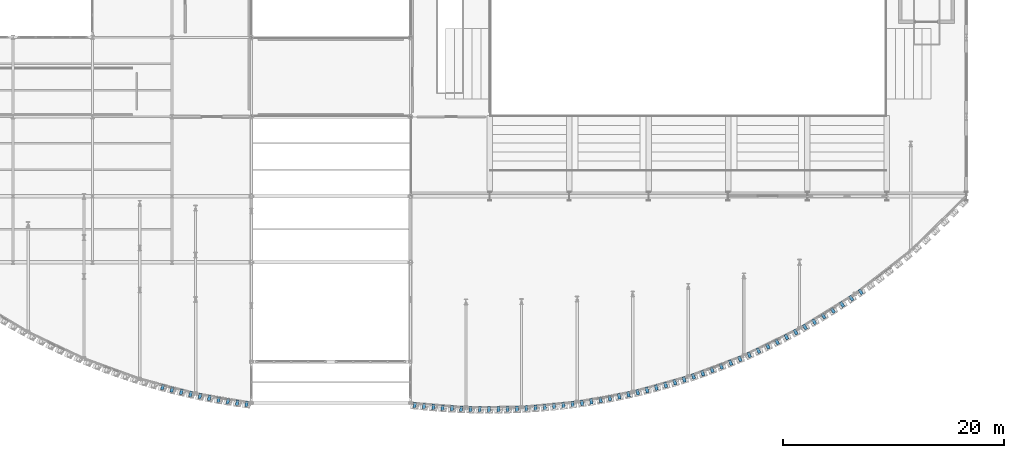
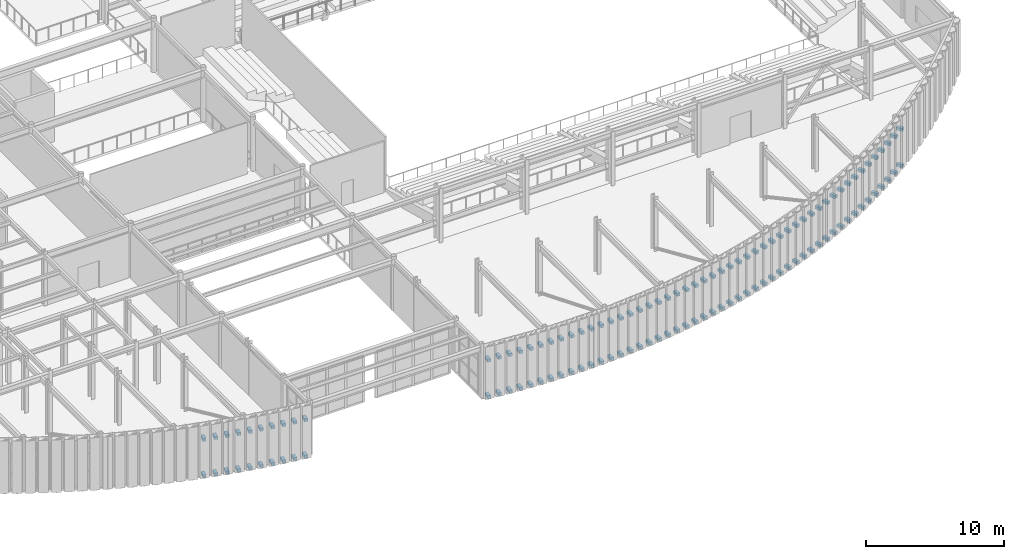
# One storey, part 103 of 121: 118 discrete accessories.
"""IFC4 building model written with IfcOpenShell, lengths in metres."""

from ifc_helpers import new_model, si_unit, direction, frame, origin, origin_2d, place, context, subcontext, project, spatial, rectangle, extrude, material, type_object, element, save


model = new_model("IFC4")

# Units and contexts
model_context = context("Model", 3, precision=1e-05, world=origin(), true_north=direction((0.0, 1.0)))
body_context = subcontext(model_context, "Body", "Model", "MODEL_VIEW")
ifc_project = project(units=[si_unit("LENGTHUNIT", "METRE"), si_unit("AREAUNIT", "SQUARE_METRE"), si_unit("VOLUMEUNIT", "CUBIC_METRE"), si_unit("PLANEANGLEUNIT", "RADIAN"), si_unit("MASSUNIT", "GRAM", prefix="KILO")], contexts=[model_context])

# Site, building, storey
site_placement = place(None, origin())
site = spatial("IfcSite", under=ifc_project, at=site_placement, CompositionType="ELEMENT")
building_placement = place(site_placement, origin())
building = spatial("IfcBuilding", under=site, at=building_placement, Name="Solvadek Multi-Sports Hall", CompositionType="ELEMENT")
storey_placement = place(building_placement, frame((0.0, 0.0, 4.800048828125)))
storey = spatial("IfcBuildingStorey", under=building, at=storey_placement, Name="L01", CompositionType="ELEMENT", Elevation=4.800048828125)

# Discrete accessories
ifc_material = material(Name="Steel E250 (250 MPa)", Category="steel")
discrete_accessory_type = type_object("IfcDiscreteAccessoryType", Name="ENV-BRK-CLEAT", PredefinedType="BRACKET", material=ifc_material)
for number, where, z_axis, x_axis, name in (
    (1, (63.951904296875, -11.306884765625, -0.01025390625), (0.0, 0.0, 1.0), (0.967172504077, -0.25412073382, 0.0), "L01 Screen Fixing Bracket #89"),
    (2, (63.951904296875, -11.306884765625, 3.2197265625), (0.0, 0.0, 1.0), (0.967172504077, -0.25412073382, 0.0), "L01 Screen Fixing Bracket #89"),
    (3, (64.795166015625, -11.528564453125, -0.01025390625), (0.0, 0.0, 1.0), (0.967172504077, -0.25412073382, 0.0), "L01 Screen Fixing Bracket #90"),
    (4, (64.795166015625, -11.528564453125, 3.2197265625), (0.0, 0.0, 1.0), (0.967172504077, -0.25412073382, 0.0), "L01 Screen Fixing Bracket #90"),
    (5, (65.642578125, -11.73779296875, -0.01025390625), (0.0, 0.0, 1.0), (0.974313261817, -0.225196953459, 0.0), "L01 Screen Fixing Bracket #93"),
    (6, (65.642578125, -11.73779296875, 3.2197265625), (0.0, 0.0, 1.0), (0.974313261817, -0.225196953459, 0.0), "L01 Screen Fixing Bracket #93"),
    (7, (66.486083984375, -11.932861328125, -0.01025390625), (0.0, 0.0, 1.0), (0.974313261817, -0.225196953459, 0.0), "L01 Screen Fixing Bracket #94"),
    (8, (66.486083984375, -11.932861328125, 3.2197265625), (0.0, 0.0, 1.0), (0.974313261817, -0.225196953459, 0.0), "L01 Screen Fixing Bracket #94"),
    (9, (67.333740234375, -12.115478515625, -0.01025390625), (0.0, 0.0, 1.0), (0.980567259161, -0.196183205861, 0.0), "L01 Screen Fixing Bracket #97"),
    (10, (67.333740234375, -12.115478515625, 3.2197265625), (0.0, 0.0, 1.0), (0.980567259161, -0.196183205861, 0.0), "L01 Screen Fixing Bracket #97"),
    (11, (68.177001953125, -12.284423828125, -0.01025390625), (0.0, 0.0, 1.0), (0.980567259161, -0.196183205861, 0.0), "L01 Screen Fixing Bracket #98"),
    (12, (68.177001953125, -12.284423828125, 3.2197265625), (0.0, 0.0, 1.0), (0.980567259161, -0.196183205861, 0.0), "L01 Screen Fixing Bracket #98"),
    (13, (69.024658203125, -12.44091796875, -0.01025390625), (0.0, 0.0, 1.0), (0.985919127793, -0.16722282575, 0.0), "L01 Screen Fixing Bracket #101"),
    (14, (69.024658203125, -12.44091796875, 3.2197265625), (0.0, 0.0, 1.0), (0.985919127793, -0.16722282575, 0.0), "L01 Screen Fixing Bracket #101"),
    (15, (69.867919921875, -12.583984375, -0.01025390625), (0.0, 0.0, 1.0), (0.985919127793, -0.16722282575, 0.0), "L01 Screen Fixing Bracket #102"),
    (16, (69.867919921875, -12.583984375, 3.2197265625), (0.0, 0.0, 1.0), (0.985919127793, -0.16722282575, 0.0), "L01 Screen Fixing Bracket #102"),
    (17, (70.715576171875, -12.715087890625, -0.01025390625), (0.0, 0.0, 1.0), (0.990403400267, -0.138206746357, 0.0), "L01 Screen Fixing Bracket #105"),
    (18, (70.715576171875, -12.715087890625, 3.2197265625), (0.0, 0.0, 1.0), (0.990403400267, -0.138206746357, 0.0), "L01 Screen Fixing Bracket #105"),
    (19, (71.558837890625, -12.832763671875, -0.01025390625), (0.0, 0.0, 1.0), (0.990403400267, -0.138206746357, 0.0), "L01 Screen Fixing Bracket #106"),
    (20, (71.558837890625, -12.832763671875, 3.2197265625), (0.0, 0.0, 1.0), (0.990403400267, -0.138206746357, 0.0), "L01 Screen Fixing Bracket #106"),
    (21, (86.8046875, -12.938232421875, -0.01025390625), (0.0, 0.0, 1.0), (0.99401078481, -0.109282019021, 0.0), "L01 Screen Fixing Bracket #109"),
    (22, (86.8046875, -12.938232421875, 3.2197265625), (0.0, 0.0, 1.0), (0.99401078481, -0.109282019021, 0.0), "L01 Screen Fixing Bracket #109"),
    (23, (87.644775390625, -13.030517578125, -0.01025390625), (0.0, 0.0, 1.0), (0.99401078481, -0.109282019021, 0.0), "L01 Screen Fixing Bracket #110"),
    (24, (87.644775390625, -13.030517578125, 3.2197265625), (0.0, 0.0, 1.0), (0.99401078481, -0.109282019021, 0.0), "L01 Screen Fixing Bracket #110"),
    (25, (88.48876953125, -13.111083984375, -0.01025390625), (0.0, 0.0, 1.0), (0.996758432085, -0.080452644873, 0.0), "L01 Screen Fixing Bracket #113"),
    (26, (88.48876953125, -13.111083984375, 3.2197265625), (0.0, 0.0, 1.0), (0.996758432085, -0.080452644873, 0.0), "L01 Screen Fixing Bracket #113"),
    (27, (89.328857421875, -13.178955078125, -0.01025390625), (0.0, 0.0, 1.0), (0.996758432085, -0.080452644873, 0.0), "L01 Screen Fixing Bracket #114"),
    (28, (89.328857421875, -13.178955078125, 3.2197265625), (0.0, 0.0, 1.0), (0.996758432085, -0.080452644873, 0.0), "L01 Screen Fixing Bracket #114"),
    (29, (90.1728515625, -13.234619140625, -0.01025390625), (0.0, 0.0, 1.0), (0.998671005445, -0.051538557245, 0.0), "L01 Screen Fixing Bracket #117"),
    (30, (90.1728515625, -13.234619140625, 3.2197265625), (0.0, 0.0, 1.0), (0.998671005445, -0.051538557245, 0.0), "L01 Screen Fixing Bracket #117"),
    (31, (91.0126953125, -13.278076171875, -0.01025390625), (0.0, 0.0, 1.0), (0.998671005445, -0.051538557245, 0.0), "L01 Screen Fixing Bracket #118"),
    (32, (91.0126953125, -13.278076171875, 3.2197265625), (0.0, 0.0, 1.0), (0.998671005445, -0.051538557245, 0.0), "L01 Screen Fixing Bracket #118"),
    (33, (91.85693359375, -13.309326171875, -0.01025390625), (0.0, 0.0, 1.0), (0.999742940353, -0.02267274168, 0.0), "L01 Screen Fixing Bracket #121"),
    (34, (91.85693359375, -13.309326171875, 3.2197265625), (0.0, 0.0, 1.0), (0.999742940353, -0.02267274168, 0.0), "L01 Screen Fixing Bracket #121"),
    (35, (92.69677734375, -13.328369140625, -0.01025390625), (0.0, 0.0, 1.0), (0.999742940353, -0.02267274168, 0.0), "L01 Screen Fixing Bracket #122"),
    (36, (92.69677734375, -13.328369140625, 3.2197265625), (0.0, 0.0, 1.0), (0.999742940353, -0.02267274168, 0.0), "L01 Screen Fixing Bracket #122"),
    (37, (93.540771484375, -13.33544921875, -0.01025390625), (0.0, 0.0, 1.0), (0.999980839553, 0.006190357575, 0.0), "L01 Screen Fixing Bracket #125"),
    (38, (93.540771484375, -13.33544921875, 3.2197265625), (0.0, 0.0, 1.0), (0.999980839553, 0.006190357575, 0.0), "L01 Screen Fixing Bracket #125"),
    (39, (94.380859375, -13.330078125, -0.01025390625), (0.0, 0.0, 1.0), (0.999980839553, 0.006190357575, 0.0), "L01 Screen Fixing Bracket #126"),
    (40, (94.380859375, -13.330078125, 3.2197265625), (0.0, 0.0, 1.0), (0.999980839553, 0.006190357575, 0.0), "L01 Screen Fixing Bracket #126"),
    (41, (95.224853515625, -13.312744140625, -0.01025390625), (0.0, 0.0, 1.0), (0.999385980888, 0.035037996585, 0.0), "L01 Screen Fixing Bracket #129"),
    (42, (95.224853515625, -13.312744140625, 3.2197265625), (0.0, 0.0, 1.0), (0.999385980888, 0.035037996585, 0.0), "L01 Screen Fixing Bracket #129"),
    (43, (96.06494140625, -13.283447265625, -0.01025390625), (0.0, 0.0, 1.0), (0.999385980888, 0.035037996585, 0.0), "L01 Screen Fixing Bracket #130"),
    (44, (96.06494140625, -13.283447265625, 3.2197265625), (0.0, 0.0, 1.0), (0.999385980888, 0.035037996585, 0.0), "L01 Screen Fixing Bracket #130"),
    (45, (96.908935546875, -13.241455078125, -0.01025390625), (0.0, 0.0, 1.0), (0.997955239955, 0.063916657037, 0.0), "L01 Screen Fixing Bracket #133"),
    (46, (96.908935546875, -13.241455078125, 3.2197265625), (0.0, 0.0, 1.0), (0.997955239955, 0.063916657037, 0.0), "L01 Screen Fixing Bracket #133"),
    (47, (97.7490234375, -13.187744140625, -0.01025390625), (0.0, 0.0, 1.0), (0.997955239955, 0.063916657037, 0.0), "L01 Screen Fixing Bracket #134"),
    (48, (97.7490234375, -13.187744140625, 3.2197265625), (0.0, 0.0, 1.0), (0.997955239955, 0.063916657037, 0.0), "L01 Screen Fixing Bracket #134"),
    (49, (98.593017578125, -13.121337890625, -0.01025390625), (0.0, 0.0, 1.0), (0.995683656408, 0.092811940833, 0.0), "L01 Screen Fixing Bracket #137"),
    (50, (98.593017578125, -13.121337890625, 3.2197265625), (0.0, 0.0, 1.0), (0.995683656408, 0.092811940833, 0.0), "L01 Screen Fixing Bracket #137"),
    (51, (99.43310546875, -13.04296875, -0.01025390625), (0.0, 0.0, 1.0), (0.995683656408, 0.092811940833, 0.0), "L01 Screen Fixing Bracket #138"),
    (52, (99.43310546875, -13.04296875, 3.2197265625), (0.0, 0.0, 1.0), (0.995683656408, 0.092811940833, 0.0), "L01 Screen Fixing Bracket #138"),
    (53, (100.277099609375, -12.951904296875, -0.01025390625), (0.0, 0.0, 1.0), (0.992573145786, 0.121649292087, 0.0), "L01 Screen Fixing Bracket #141"),
    (54, (100.277099609375, -12.951904296875, 3.2197265625), (0.0, 0.0, 1.0), (0.992573145786, 0.121649292087, 0.0), "L01 Screen Fixing Bracket #141"),
    (55, (101.116943359375, -12.84912109375, -0.01025390625), (0.0, 0.0, 1.0), (0.992573145786, 0.121649292087, 0.0), "L01 Screen Fixing Bracket #142"),
    (56, (101.116943359375, -12.84912109375, 3.2197265625), (0.0, 0.0, 1.0), (0.992573145786, 0.121649292087, 0.0), "L01 Screen Fixing Bracket #142"),
    (57, (101.961181640625, -12.733154296875, -0.01025390625), (0.0, 0.0, 1.0), (0.988605895809, 0.15052701675, 0.0), "L01 Screen Fixing Bracket #145"),
    (58, (101.961181640625, -12.733154296875, 3.2197265625), (0.0, 0.0, 1.0), (0.988605895809, 0.15052701675, 0.0), "L01 Screen Fixing Bracket #145"),
    (59, (102.801025390625, -12.605224609375, -0.01025390625), (0.0, 0.0, 1.0), (0.988605895809, 0.15052701675, 0.0), "L01 Screen Fixing Bracket #146"),
    (60, (102.801025390625, -12.605224609375, 3.2197265625), (0.0, 0.0, 1.0), (0.988605895809, 0.15052701675, 0.0), "L01 Screen Fixing Bracket #146"),
    (61, (103.64501953125, -12.4638671875, -0.01025390625), (0.0, 0.0, 1.0), (0.983772323835, 0.179421333339, 0.0), "L01 Screen Fixing Bracket #149"),
    (62, (103.64501953125, -12.4638671875, 3.2197265625), (0.0, 0.0, 1.0), (0.983772323835, 0.179421333339, 0.0), "L01 Screen Fixing Bracket #149"),
    (63, (104.485107421875, -12.310791015625, -0.01025390625), (0.0, 0.0, 1.0), (0.983772323835, 0.179421333339, 0.0), "L01 Screen Fixing Bracket #150"),
    (64, (104.485107421875, -12.310791015625, 3.2197265625), (0.0, 0.0, 1.0), (0.983772323835, 0.179421333339, 0.0), "L01 Screen Fixing Bracket #150"),
    (65, (105.3291015625, -12.143798828125, -0.01025390625), (0.0, 0.0, 1.0), (0.978075914323, 0.208248663432, 0.0), "L01 Screen Fixing Bracket #153"),
    (66, (105.3291015625, -12.143798828125, 3.2197265625), (0.0, 0.0, 1.0), (0.978075914323, 0.208248663432, 0.0), "L01 Screen Fixing Bracket #153"),
    (67, (106.169189453125, -11.965087890625, -0.01025390625), (0.0, 0.0, 1.0), (0.978075914323, 0.208248663432, 0.0), "L01 Screen Fixing Bracket #154"),
    (68, (106.169189453125, -11.965087890625, 3.2197265625), (0.0, 0.0, 1.0), (0.978075914323, 0.208248663432, 0.0), "L01 Screen Fixing Bracket #154"),
    (69, (107.01318359375, -11.772216796875, -0.01025390625), (0.0, 0.0, 1.0), (0.971474540489, 0.237143874435, 0.0), "L01 Screen Fixing Bracket #157"),
    (70, (107.01318359375, -11.772216796875, 3.2197265625), (0.0, 0.0, 1.0), (0.971474540489, 0.237143874435, 0.0), "L01 Screen Fixing Bracket #157"),
    (71, (107.853271484375, -11.567138671875, -0.01025390625), (0.0, 0.0, 1.0), (0.971474540489, 0.237143874435, 0.0), "L01 Screen Fixing Bracket #158"),
    (72, (107.853271484375, -11.567138671875, 3.2197265625), (0.0, 0.0, 1.0), (0.971474540489, 0.237143874435, 0.0), "L01 Screen Fixing Bracket #158"),
    (73, (108.697265625, -11.34765625, -0.01025390625), (0.0, 0.0, 1.0), (0.963970297161, 0.266009898671, 0.0), "L01 Screen Fixing Bracket #161"),
    (74, (108.697265625, -11.34765625, 3.2197265625), (0.0, 0.0, 1.0), (0.963970297161, 0.266009898671, 0.0), "L01 Screen Fixing Bracket #161"),
    (75, (109.537353515625, -11.115966796875, -0.01025390625), (0.0, 0.0, 1.0), (0.963970297161, 0.266009898671, 0.0), "L01 Screen Fixing Bracket #162"),
    (76, (109.537353515625, -11.115966796875, 3.2197265625), (0.0, 0.0, 1.0), (0.963970297161, 0.266009898671, 0.0), "L01 Screen Fixing Bracket #162"),
    (77, (110.38134765625, -10.869140625, -0.01025390625), (0.0, 0.0, 1.0), (0.955526555938, 0.294905070993, 0.0), "L01 Screen Fixing Bracket #165"),
    (78, (110.38134765625, -10.869140625, 3.2197265625), (0.0, 0.0, 1.0), (0.955526555938, 0.294905070993, 0.0), "L01 Screen Fixing Bracket #165"),
    (79, (111.22119140625, -10.60986328125, -0.01025390625), (0.0, 0.0, 1.0), (0.955526555938, 0.294905070993, 0.0), "L01 Screen Fixing Bracket #166"),
    (80, (111.22119140625, -10.60986328125, 3.2197265625), (0.0, 0.0, 1.0), (0.955526555938, 0.294905070993, 0.0), "L01 Screen Fixing Bracket #166"),
    (81, (112.0654296875, -10.335205078125, -0.01025390625), (0.0, 0.0, 1.0), (0.946153090794, 0.323719521778, 0.0), "L01 Screen Fixing Bracket #169"),
    (82, (112.0654296875, -10.335205078125, 3.2197265625), (0.0, 0.0, 1.0), (0.946153090794, 0.323719521778, 0.0), "L01 Screen Fixing Bracket #169"),
    (83, (112.9052734375, -10.0478515625, -0.01025390625), (0.0, 0.0, 1.0), (0.946153090794, 0.323719521778, 0.0), "L01 Screen Fixing Bracket #170"),
    (84, (112.9052734375, -10.0478515625, 3.2197265625), (0.0, 0.0, 1.0), (0.946153090794, 0.323719521778, 0.0), "L01 Screen Fixing Bracket #170"),
    (85, (113.749267578125, -9.744384765625, -0.01025390625), (0.0, 0.0, 1.0), (0.935760271469, 0.352636802305, 0.0), "L01 Screen Fixing Bracket #173"),
    (86, (113.749267578125, -9.744384765625, 3.2197265625), (0.0, 0.0, 1.0), (0.935760271469, 0.352636802305, 0.0), "L01 Screen Fixing Bracket #173"),
    (87, (114.58935546875, -9.427978515625, -0.01025390625), (0.0, 0.0, 1.0), (0.935760271469, 0.352636802305, 0.0), "L01 Screen Fixing Bracket #174"),
    (88, (114.58935546875, -9.427978515625, 3.2197265625), (0.0, 0.0, 1.0), (0.935760271469, 0.352636802305, 0.0), "L01 Screen Fixing Bracket #174"),
    (89, (115.433349609375, -9.0947265625, -0.01025390625), (0.0, 0.0, 1.0), (0.924380401082, 0.381471983369, 0.0), "L01 Screen Fixing Bracket #177"),
    (90, (115.433349609375, -9.0947265625, 3.2197265625), (0.0, 0.0, 1.0), (0.924380401082, 0.381471983369, 0.0), "L01 Screen Fixing Bracket #177"),
    (91, (116.2734375, -8.748046875, -0.01025390625), (0.0, 0.0, 1.0), (0.924380401082, 0.381471983369, 0.0), "L01 Screen Fixing Bracket #178"),
    (92, (116.2734375, -8.748046875, 3.2197265625), (0.0, 0.0, 1.0), (0.924380401082, 0.381471983369, 0.0), "L01 Screen Fixing Bracket #178"),
    (93, (117.117431640625, -8.384033203125, -0.01025390625), (0.0, 0.0, 1.0), (0.911921505175, 0.41036467733, 0.0), "L01 Screen Fixing Bracket #181"),
    (94, (117.117431640625, -8.384033203125, 3.2197265625), (0.0, 0.0, 1.0), (0.911921505175, 0.41036467733, 0.0), "L01 Screen Fixing Bracket #181"),
    (95, (117.95751953125, -8.005859375, -0.01025390625), (0.0, 0.0, 1.0), (0.911921505175, 0.41036467733, 0.0), "L01 Screen Fixing Bracket #182"),
    (96, (117.95751953125, -8.005859375, 3.2197265625), (0.0, 0.0, 1.0), (0.911921505175, 0.41036467733, 0.0), "L01 Screen Fixing Bracket #182"),
    (97, (118.801513671875, -7.609619140625, -0.01025390625), (0.0, 0.0, 1.0), (0.898370293848, 0.439238904392, 0.0), "L01 Screen Fixing Bracket #185"),
    (98, (118.801513671875, -7.609619140625, 3.2197265625), (0.0, 0.0, 1.0), (0.898370293848, 0.439238904392, 0.0), "L01 Screen Fixing Bracket #185"),
    (99, (119.6416015625, -7.198974609375, -0.01025390625), (0.0, 0.0, 1.0), (0.898370293848, 0.439238904392, 0.0), "L01 Screen Fixing Bracket #186"),
    (100, (119.6416015625, -7.198974609375, 3.2197265625), (0.0, 0.0, 1.0), (0.898370293848, 0.439238904392, 0.0), "L01 Screen Fixing Bracket #186"),
    (101, (120.485595703125, -6.76904296875, -0.01025390625), (0.0, 0.0, 1.0), (0.883681698244, 0.468088299565, 0.0), "L01 Screen Fixing Bracket #189"),
    (102, (120.485595703125, -6.76904296875, 3.2197265625), (0.0, 0.0, 1.0), (0.883681698244, 0.468088299565, 0.0), "L01 Screen Fixing Bracket #189"),
    (103, (121.325439453125, -6.32421875, -0.01025390625), (0.0, 0.0, 1.0), (0.883681698244, 0.468088299565, 0.0), "L01 Screen Fixing Bracket #190"),
    (104, (121.325439453125, -6.32421875, 3.2197265625), (0.0, 0.0, 1.0), (0.883681698244, 0.468088299565, 0.0), "L01 Screen Fixing Bracket #190"),
    (105, (122.169677734375, -5.85888671875, -0.01025390625), (0.0, 0.0, 1.0), (0.867753217729, 0.496995325049, 0.0), "L01 Screen Fixing Bracket #193"),
    (106, (122.169677734375, -5.85888671875, 3.2197265625), (0.0, 0.0, 1.0), (0.867753217729, 0.496995325049, 0.0), "L01 Screen Fixing Bracket #193"),
    (107, (123.009521484375, -5.3779296875, -0.01025390625), (0.0, 0.0, 1.0), (0.867753217729, 0.496995325049, 0.0), "L01 Screen Fixing Bracket #194"),
    (108, (123.009521484375, -5.3779296875, 3.2197265625), (0.0, 0.0, 1.0), (0.867753217729, 0.496995325049, 0.0), "L01 Screen Fixing Bracket #194"),
    (109, (123.853515625, -4.875244140625, -0.01025390625), (0.0, 0.0, 1.0), (0.850582217599, 0.525842078103, 0.0), "L01 Screen Fixing Bracket #197"),
    (110, (123.853515625, -4.875244140625, 3.2197265625), (0.0, 0.0, 1.0), (0.850582217599, 0.525842078103, 0.0), "L01 Screen Fixing Bracket #197"),
    (111, (124.693603515625, -4.35595703125, -0.01025390625), (0.0, 0.0, 1.0), (0.850582217599, 0.525842078103, 0.0), "L01 Screen Fixing Bracket #198"),
    (112, (124.693603515625, -4.35595703125, 3.2197265625), (0.0, 0.0, 1.0), (0.850582217599, 0.525842078103, 0.0), "L01 Screen Fixing Bracket #198"),
    (113, (125.53759765625, -3.813720703125, -0.01025390625), (0.0, 0.0, 1.0), (0.832027435734, 0.5547344826, 0.0), "L01 Screen Fixing Bracket #201"),
    (114, (125.53759765625, -3.813720703125, 3.2197265625), (0.0, 0.0, 1.0), (0.832027435734, 0.5547344826, 0.0), "L01 Screen Fixing Bracket #201"),
    (115, (126.377685546875, -3.253662109375, -0.01025390625), (0.0, 0.0, 1.0), (0.832027435734, 0.5547344826, 0.0), "L01 Screen Fixing Bracket #202"),
    (116, (126.377685546875, -3.253662109375, 3.2197265625), (0.0, 0.0, 1.0), (0.832027435734, 0.5547344826, 0.0), "L01 Screen Fixing Bracket #202"),
    (117, (127.2216796875, -2.6689453125, -0.01025390625), (0.0, 0.0, 1.0), (0.812061184697, 0.583572302554, 0.0), "L01 Screen Fixing Bracket #205"),
    (118, (127.2216796875, -2.6689453125, 3.2197265625), (0.0, 0.0, 1.0), (0.812061184697, 0.583572302554, 0.0), "L01 Screen Fixing Bracket #205"),
):
    element("IfcDiscreteAccessory", number, at=place(storey_placement, frame(where, z_axis=z_axis, x_axis=x_axis)), inside=storey, type_object=discrete_accessory_type, Name=name, PredefinedType="BRACKET", context=body_context, shape_type="SweptSolid", body=[
        extrude(rectangle(XDim=0.260009765625, YDim=0.5, at=origin_2d()), origin(), (0.0, 0.0, 1.0), 0.260009765625),
    ])

save(model, "model.ifc")
